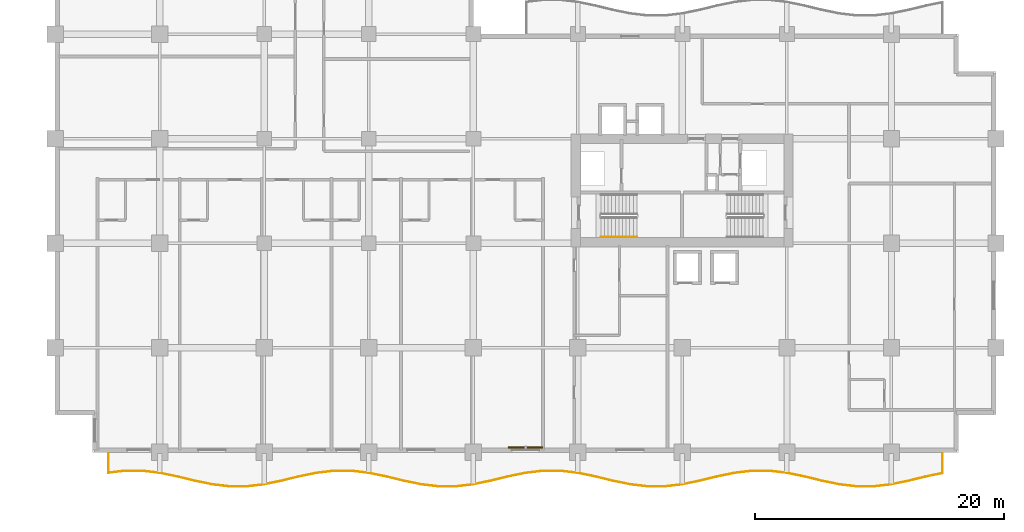
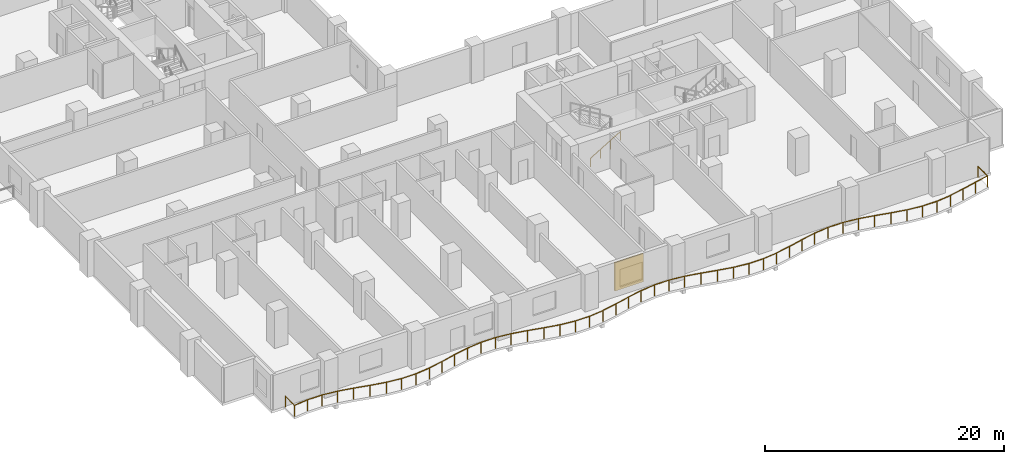
# One storey, part 14 of 17: 2 railings, 1 shading device.
"""IFC4 building model written with IfcOpenShell, lengths in metres."""

from ifc_helpers import new_model, si_unit, direction, frame, origin, origin_2d, place, context, subcontext, project, spatial, rectangle, circle, extrude, material, layer, layer_set, type_object, element, save


model = new_model("IFC4")

# Units and contexts
model_context = context("Model", 3, precision=1e-05, world=origin(), true_north=direction((0.0, 1.0)))
body_context = subcontext(model_context, "Body", "Model", "MODEL_VIEW")
ifc_project = project(units=[si_unit("LENGTHUNIT", "METRE"), si_unit("AREAUNIT", "SQUARE_METRE"), si_unit("VOLUMEUNIT", "CUBIC_METRE"), si_unit("PLANEANGLEUNIT", "RADIAN"), si_unit("MASSUNIT", "GRAM", prefix="KILO")], contexts=[model_context])

# Site, building, storey
site_placement = place(None, origin())
site = spatial("IfcSite", under=ifc_project, at=site_placement, CompositionType="ELEMENT")
building_placement = place(site_placement, origin())
building = spatial("IfcBuilding", under=site, at=building_placement, Name="Koriwani Terraces Tower", CompositionType="ELEMENT")
storey_placement = place(building_placement, frame((0.0, 0.0, 130.39990234375)))
storey = spatial("IfcBuildingStorey", under=building, at=storey_placement, Name="L31", CompositionType="ELEMENT", Elevation=130.39990234375)

# Railings
ifc_material_1 = material(Name="Steel ASTM A572 Grade 50", Category="steel")
railing_type_1 = type_object("IfcRailingType", Name="GUARD_BALUSTRADE_1150", PredefinedType="BALUSTRADE", material=ifc_material_1)
railing_1_placement = place(storey_placement, frame((4.280029296875, -0.080078125, 0.0)))
element("IfcRailing", 1, at=railing_1_placement, inside=storey, type_object=railing_type_1, Name="L31 Balcony Perimeter Safety Balustrade (S)", PredefinedType="BALUSTRADE", context=body_context, shape_type="SweptSolid", body=[
    extrude(circle(Radius=0.02392578125, at=origin_2d()), frame((0.0, 0.0, 1.1259765625), z_axis=(0.0, -1.0, 0.0), x_axis=(1.0, 0.0, 0.0)), (0.0, 0.0, 1.0), 1.570068359375),
    extrude(circle(Radius=0.02392578125, at=origin_2d()), frame((0.0, -1.570068359375, 1.1259765625), z_axis=(0.992886428773, 0.119065274362, 0.0), x_axis=(-0.119065274362, 0.992886428773, 0.0)), (0.0, 0.0, 1.0), 1.32470703125),
    extrude(circle(Radius=0.02392578125, at=origin_2d()), frame((1.315185546875, -1.412353515625, 1.1259765625), z_axis=(1.0, 0.0, 0.0), x_axis=(0.0, 1.0, 0.0)), (0.0, 0.0, 1.0), 1.40966796875),
    extrude(circle(Radius=0.02392578125, at=origin_2d()), frame((2.724853515625, -1.412353515625, 1.1259765625), z_axis=(0.992857273618, -0.119308148191, 0.0), x_axis=(0.119308148191, 0.992857273618, 0.0)), (0.0, 0.0, 1.0), 1.41796875),
    extrude(circle(Radius=0.02392578125, at=origin_2d()), frame((4.1328125, -1.58154296875, 1.1259765625), z_axis=(0.979066698056, -0.203539678581, 0.0), x_axis=(0.203539678581, 0.979066698056, 0.0)), (0.0, 0.0, 1.0), 1.4345703125),
    extrude(circle(Radius=0.02392578125, at=origin_2d()), frame((5.537353515625, -1.87353515625, 1.1259765625), z_axis=(0.972325709638, -0.233629438166, 0.0), x_axis=(0.233629438166, 0.972325709638, 0.0)), (0.0, 0.0, 1.0), 1.43994140625),
    extrude(circle(Radius=0.02392578125, at=origin_2d()), frame((6.9375, -2.2099609375, 1.1259765625), z_axis=(0.979001791719, -0.20385164167, 0.0), x_axis=(0.20385164167, 0.979001791719, 0.0)), (0.0, 0.0, 1.0), 1.42529296875),
    extrude(circle(Radius=0.02392578125, at=origin_2d()), frame((8.332763671875, -2.50048828125, 1.1259765625), z_axis=(0.992861175138, -0.119275676073, 0.0), x_axis=(0.119275676073, 0.992861175138, 0.0)), (0.0, 0.0, 1.0), 1.402099609375),
    extrude(circle(Radius=0.02392578125, at=origin_2d()), frame((9.724853515625, -2.667724609375, 1.1259765625), z_axis=(1.0, 0.0, 0.0), x_axis=(0.0, 1.0, 0.0)), (0.0, 0.0, 1.0), 1.390380859375),
    extrude(circle(Radius=0.02392578125, at=origin_2d()), frame((11.115234375, -2.667724609375, 1.1259765625), z_axis=(0.992858697273, 0.119296300234, 0.0), x_axis=(-0.119296300234, 0.992858697273, 0.0)), (0.0, 0.0, 1.0), 1.40185546875),
    extrude(circle(Radius=0.02392578125, at=origin_2d()), frame((12.507080078125, -2.50048828125, 1.1259765625), z_axis=(0.979008908546, 0.203817459967, 0.0), x_axis=(-0.203817459967, 0.979008908546, 0.0)), (0.0, 0.0, 1.0), 1.425537109375),
    extrude(circle(Radius=0.02392578125, at=origin_2d()), frame((13.902587890625, -2.2099609375, 1.1259765625), z_axis=(0.972316453264, 0.233667958249, 0.0), x_axis=(-0.233667958249, 0.972316453264, 0.0)), (0.0, 0.0, 1.0), 1.439697265625),
    extrude(circle(Radius=0.02392578125, at=origin_2d()), frame((15.302490234375, -1.87353515625, 1.1259765625), z_axis=(0.979066698056, 0.203539678581, 0.0), x_axis=(-0.203539678581, 0.979066698056, 0.0)), (0.0, 0.0, 1.0), 1.4345703125),
    extrude(circle(Radius=0.02392578125, at=origin_2d()), frame((16.70703125, -1.58154296875, 1.1259765625), z_axis=(0.992859723616, 0.119287758056, 0.0), x_axis=(-0.119287758056, 0.992859723616, 0.0)), (0.0, 0.0, 1.0), 1.418212890625),
    extrude(circle(Radius=0.02392578125, at=origin_2d()), frame((18.115234375, -1.412353515625, 1.1259765625), z_axis=(1.0, 0.0, 0.0), x_axis=(0.0, 1.0, 0.0)), (0.0, 0.0, 1.0), 1.409423828125),
    extrude(circle(Radius=0.02392578125, at=origin_2d()), frame((19.524658203125, -1.412353515625, 1.1259765625), z_axis=(0.992859723616, -0.119287758056, 0.0), x_axis=(0.119287758056, 0.992859723616, 0.0)), (0.0, 0.0, 1.0), 1.418212890625),
    extrude(circle(Radius=0.02392578125, at=origin_2d()), frame((20.932861328125, -1.58154296875, 1.1259765625), z_axis=(0.979066698056, -0.203539678581, 0.0), x_axis=(0.203539678581, 0.979066698056, 0.0)), (0.0, 0.0, 1.0), 1.4345703125),
    extrude(circle(Radius=0.02392578125, at=origin_2d()), frame((22.33740234375, -1.87353515625, 1.1259765625), z_axis=(0.972325709638, -0.233629438166, 0.0), x_axis=(0.233629438166, 0.972325709638, 0.0)), (0.0, 0.0, 1.0), 1.43994140625),
    extrude(circle(Radius=0.02392578125, at=origin_2d()), frame((23.737548828125, -2.2099609375, 1.1259765625), z_axis=(0.979001791719, -0.20385164167, 0.0), x_axis=(0.20385164167, 0.979001791719, 0.0)), (0.0, 0.0, 1.0), 1.42529296875),
    extrude(circle(Radius=0.02392578125, at=origin_2d()), frame((25.1328125, -2.50048828125, 1.1259765625), z_axis=(0.992858697273, -0.119296300234, 0.0), x_axis=(0.119296300234, 0.992858697273, 0.0)), (0.0, 0.0, 1.0), 1.40185546875),
    extrude(circle(Radius=0.02392578125, at=origin_2d()), frame((26.524658203125, -2.667724609375, 1.1259765625), z_axis=(1.0, 0.0, 0.0), x_axis=(0.0, 1.0, 0.0)), (0.0, 0.0, 1.0), 1.390625),
    extrude(circle(Radius=0.02392578125, at=origin_2d()), frame((27.915283203125, -2.667724609375, 1.1259765625), z_axis=(0.992858697273, 0.119296300234, 0.0), x_axis=(-0.119296300234, 0.992858697273, 0.0)), (0.0, 0.0, 1.0), 1.40185546875),
    extrude(circle(Radius=0.02392578125, at=origin_2d()), frame((29.30712890625, -2.50048828125, 1.1259765625), z_axis=(0.979001791719, 0.20385164167, 0.0), x_axis=(-0.20385164167, 0.979001791719, 0.0)), (0.0, 0.0, 1.0), 1.42529296875),
    extrude(circle(Radius=0.02392578125, at=origin_2d()), frame((30.702392578125, -2.2099609375, 1.1259765625), z_axis=(0.972325709638, 0.233629438166, 0.0), x_axis=(-0.233629438166, 0.972325709638, 0.0)), (0.0, 0.0, 1.0), 1.43994140625),
    extrude(circle(Radius=0.02392578125, at=origin_2d()), frame((32.1025390625, -1.87353515625, 1.1259765625), z_axis=(0.979066698056, 0.203539678581, 0.0), x_axis=(-0.203539678581, 0.979066698056, 0.0)), (0.0, 0.0, 1.0), 1.4345703125),
    extrude(circle(Radius=0.02392578125, at=origin_2d()), frame((33.507080078125, -1.58154296875, 1.1259765625), z_axis=(0.992859723616, 0.119287758056, 0.0), x_axis=(-0.119287758056, 0.992859723616, 0.0)), (0.0, 0.0, 1.0), 1.418212890625),
    extrude(circle(Radius=0.02392578125, at=origin_2d()), frame((34.915283203125, -1.412353515625, 1.1259765625), z_axis=(1.0, 0.0, 0.0), x_axis=(0.0, 1.0, 0.0)), (0.0, 0.0, 1.0), 1.409423828125),
    extrude(circle(Radius=0.02392578125, at=origin_2d()), frame((36.32470703125, -1.412353515625, 1.1259765625), z_axis=(0.992859723616, -0.119287758056, 0.0), x_axis=(0.119287758056, 0.992859723616, 0.0)), (0.0, 0.0, 1.0), 1.418212890625),
    extrude(circle(Radius=0.02392578125, at=origin_2d()), frame((37.73291015625, -1.58154296875, 1.1259765625), z_axis=(0.979066698056, -0.203539678581, 0.0), x_axis=(0.203539678581, 0.979066698056, 0.0)), (0.0, 0.0, 1.0), 1.4345703125),
    extrude(circle(Radius=0.02392578125, at=origin_2d()), frame((39.137451171875, -1.87353515625, 1.1259765625), z_axis=(0.972316453264, -0.233667958249, 0.0), x_axis=(0.233667958249, 0.972316453264, 0.0)), (0.0, 0.0, 1.0), 1.439697265625),
    extrude(circle(Radius=0.02392578125, at=origin_2d()), frame((40.537353515625, -2.2099609375, 1.1259765625), z_axis=(0.979008908546, -0.203817459967, 0.0), x_axis=(0.203817459967, 0.979008908546, 0.0)), (0.0, 0.0, 1.0), 1.425537109375),
    extrude(circle(Radius=0.02392578125, at=origin_2d()), frame((41.932861328125, -2.50048828125, 1.1259765625), z_axis=(0.992858697273, -0.119296300234, 0.0), x_axis=(0.119296300234, 0.992858697273, 0.0)), (0.0, 0.0, 1.0), 1.40185546875),
    extrude(circle(Radius=0.02392578125, at=origin_2d()), frame((43.32470703125, -2.667724609375, 1.1259765625), z_axis=(1.0, 0.0, 0.0), x_axis=(0.0, 1.0, 0.0)), (0.0, 0.0, 1.0), 1.390380859375),
    extrude(circle(Radius=0.02392578125, at=origin_2d()), frame((44.715087890625, -2.667724609375, 1.1259765625), z_axis=(0.992861175138, 0.119275676073, 0.0), x_axis=(-0.119275676073, 0.992861175138, 0.0)), (0.0, 0.0, 1.0), 1.402099609375),
    extrude(circle(Radius=0.02392578125, at=origin_2d()), frame((46.107177734375, -2.50048828125, 1.1259765625), z_axis=(0.979001791719, 0.20385164167, 0.0), x_axis=(-0.20385164167, 0.979001791719, 0.0)), (0.0, 0.0, 1.0), 1.42529296875),
    extrude(circle(Radius=0.02392578125, at=origin_2d()), frame((47.50244140625, -2.2099609375, 1.1259765625), z_axis=(0.972325709638, 0.233629438166, 0.0), x_axis=(-0.233629438166, 0.972325709638, 0.0)), (0.0, 0.0, 1.0), 1.43994140625),
    extrude(circle(Radius=0.02392578125, at=origin_2d()), frame((48.902587890625, -1.87353515625, 1.1259765625), z_axis=(0.979066698056, 0.203539678581, 0.0), x_axis=(-0.203539678581, 0.979066698056, 0.0)), (0.0, 0.0, 1.0), 1.4345703125),
    extrude(circle(Radius=0.02392578125, at=origin_2d()), frame((50.30712890625, -1.58154296875, 1.1259765625), z_axis=(0.992857273618, 0.119308148191, 0.0), x_axis=(-0.119308148191, 0.992857273618, 0.0)), (0.0, 0.0, 1.0), 1.41796875),
    extrude(circle(Radius=0.02392578125, at=origin_2d()), frame((51.715087890625, -1.412353515625, 1.1259765625), z_axis=(1.0, 0.0, 0.0), x_axis=(0.0, 1.0, 0.0)), (0.0, 0.0, 1.0), 1.40966796875),
    extrude(circle(Radius=0.02392578125, at=origin_2d()), frame((53.124755859375, -1.412353515625, 1.1259765625), z_axis=(0.992859723616, -0.119287758056, 0.0), x_axis=(0.119287758056, 0.992859723616, 0.0)), (0.0, 0.0, 1.0), 1.418212890625),
    extrude(circle(Radius=0.02392578125, at=origin_2d()), frame((54.532958984375, -1.58154296875, 1.1259765625), z_axis=(0.979066698056, -0.203539678581, 0.0), x_axis=(0.203539678581, 0.979066698056, 0.0)), (0.0, 0.0, 1.0), 1.4345703125),
    extrude(circle(Radius=0.02392578125, at=origin_2d()), frame((55.9375, -1.87353515625, 1.1259765625), z_axis=(0.972316453264, -0.233667958249, 0.0), x_axis=(0.233667958249, 0.972316453264, 0.0)), (0.0, 0.0, 1.0), 1.439697265625),
    extrude(circle(Radius=0.02392578125, at=origin_2d()), frame((57.33740234375, -2.2099609375, 1.1259765625), z_axis=(0.979008908546, -0.203817459967, 0.0), x_axis=(0.203817459967, 0.979008908546, 0.0)), (0.0, 0.0, 1.0), 1.425537109375),
    extrude(circle(Radius=0.02392578125, at=origin_2d()), frame((58.73291015625, -2.50048828125, 1.1259765625), z_axis=(0.992858697273, -0.119296300234, 0.0), x_axis=(0.119296300234, 0.992858697273, 0.0)), (0.0, 0.0, 1.0), 1.40185546875),
    extrude(circle(Radius=0.02392578125, at=origin_2d()), frame((60.124755859375, -2.667724609375, 1.1259765625), z_axis=(1.0, 0.0, 0.0), x_axis=(0.0, 1.0, 0.0)), (0.0, 0.0, 1.0), 1.390380859375),
    extrude(circle(Radius=0.02392578125, at=origin_2d()), frame((61.51513671875, -2.667724609375, 1.1259765625), z_axis=(0.992858697273, 0.119296300234, 0.0), x_axis=(-0.119296300234, 0.992858697273, 0.0)), (0.0, 0.0, 1.0), 1.40185546875),
    extrude(circle(Radius=0.02392578125, at=origin_2d()), frame((62.906982421875, -2.50048828125, 1.1259765625), z_axis=(0.979008908546, 0.203817459967, 0.0), x_axis=(-0.203817459967, 0.979008908546, 0.0)), (0.0, 0.0, 1.0), 1.425537109375),
    extrude(circle(Radius=0.02392578125, at=origin_2d()), frame((64.302490234375, -2.2099609375, 1.1259765625), z_axis=(0.972316453264, 0.233667958249, 0.0), x_axis=(-0.233667958249, 0.972316453264, 0.0)), (0.0, 0.0, 1.0), 1.439697265625),
    extrude(circle(Radius=0.02392578125, at=origin_2d()), frame((65.702392578125, -1.87353515625, 1.1259765625), z_axis=(0.979032418543, 0.203704500299, 0.0), x_axis=(-0.203704500299, 0.979032418543, 0.0)), (0.0, 0.0, 1.0), 1.3662109375),
    extrude(circle(Radius=0.02392578125, at=origin_2d()), frame((67.0400390625, -1.59521484375, 1.1259765625), z_axis=(0.0, 1.0, 0.0), x_axis=(-1.0, 0.0, 0.0)), (0.0, 0.0, 1.0), 1.59521484375),
    extrude(circle(Radius=0.02099609375, at=origin_2d()), origin(), (0.0, 0.0, 1.0), 1.101806640625),
    extrude(circle(Radius=0.02099609375, at=origin_2d()), frame((0.0, -1.570068359375, 0.0)), (0.0, 0.0, 1.0), 1.101806640625),
    extrude(circle(Radius=0.02099609375, at=origin_2d()), frame((1.315185546875, -1.412353515625, 0.0)), (0.0, 0.0, 1.0), 1.101806640625),
    extrude(circle(Radius=0.02099609375, at=origin_2d()), frame((2.724853515625, -1.412353515625, 0.0)), (0.0, 0.0, 1.0), 1.101806640625),
    extrude(circle(Radius=0.02099609375, at=origin_2d()), frame((4.1328125, -1.58154296875, 0.0)), (0.0, 0.0, 1.0), 1.101806640625),
    extrude(circle(Radius=0.02099609375, at=origin_2d()), frame((5.537353515625, -1.87353515625, 0.0)), (0.0, 0.0, 1.0), 1.101806640625),
    extrude(circle(Radius=0.02099609375, at=origin_2d()), frame((6.9375, -2.2099609375, 0.0)), (0.0, 0.0, 1.0), 1.101806640625),
    extrude(circle(Radius=0.02099609375, at=origin_2d()), frame((8.332763671875, -2.50048828125, 0.0)), (0.0, 0.0, 1.0), 1.101806640625),
    extrude(circle(Radius=0.02099609375, at=origin_2d()), frame((9.724853515625, -2.667724609375, 0.0)), (0.0, 0.0, 1.0), 1.101806640625),
    extrude(circle(Radius=0.02099609375, at=origin_2d()), frame((11.115234375, -2.667724609375, 0.0)), (0.0, 0.0, 1.0), 1.101806640625),
    extrude(circle(Radius=0.02099609375, at=origin_2d()), frame((12.507080078125, -2.50048828125, 0.0)), (0.0, 0.0, 1.0), 1.101806640625),
    extrude(circle(Radius=0.02099609375, at=origin_2d()), frame((13.902587890625, -2.2099609375, 0.0)), (0.0, 0.0, 1.0), 1.101806640625),
    extrude(circle(Radius=0.02099609375, at=origin_2d()), frame((15.302490234375, -1.87353515625, 0.0)), (0.0, 0.0, 1.0), 1.101806640625),
    extrude(circle(Radius=0.02099609375, at=origin_2d()), frame((16.70703125, -1.58154296875, 0.0)), (0.0, 0.0, 1.0), 1.101806640625),
    extrude(circle(Radius=0.02099609375, at=origin_2d()), frame((18.115234375, -1.412353515625, 0.0)), (0.0, 0.0, 1.0), 1.101806640625),
    extrude(circle(Radius=0.02099609375, at=origin_2d()), frame((19.524658203125, -1.412353515625, 0.0)), (0.0, 0.0, 1.0), 1.101806640625),
    extrude(circle(Radius=0.02099609375, at=origin_2d()), frame((20.932861328125, -1.58154296875, 0.0)), (0.0, 0.0, 1.0), 1.101806640625),
    extrude(circle(Radius=0.02099609375, at=origin_2d()), frame((22.33740234375, -1.87353515625, 0.0)), (0.0, 0.0, 1.0), 1.101806640625),
    extrude(circle(Radius=0.02099609375, at=origin_2d()), frame((23.737548828125, -2.2099609375, 0.0)), (0.0, 0.0, 1.0), 1.101806640625),
    extrude(circle(Radius=0.02099609375, at=origin_2d()), frame((25.1328125, -2.50048828125, 0.0)), (0.0, 0.0, 1.0), 1.101806640625),
    extrude(circle(Radius=0.02099609375, at=origin_2d()), frame((26.524658203125, -2.667724609375, 0.0)), (0.0, 0.0, 1.0), 1.101806640625),
    extrude(circle(Radius=0.02099609375, at=origin_2d()), frame((27.915283203125, -2.667724609375, 0.0)), (0.0, 0.0, 1.0), 1.101806640625),
    extrude(circle(Radius=0.02099609375, at=origin_2d()), frame((29.30712890625, -2.50048828125, 0.0)), (0.0, 0.0, 1.0), 1.101806640625),
    extrude(circle(Radius=0.02099609375, at=origin_2d()), frame((30.702392578125, -2.2099609375, 0.0)), (0.0, 0.0, 1.0), 1.101806640625),
    extrude(circle(Radius=0.02099609375, at=origin_2d()), frame((32.1025390625, -1.87353515625, 0.0)), (0.0, 0.0, 1.0), 1.101806640625),
    extrude(circle(Radius=0.02099609375, at=origin_2d()), frame((33.507080078125, -1.58154296875, 0.0)), (0.0, 0.0, 1.0), 1.101806640625),
    extrude(circle(Radius=0.02099609375, at=origin_2d()), frame((34.915283203125, -1.412353515625, 0.0)), (0.0, 0.0, 1.0), 1.101806640625),
    extrude(circle(Radius=0.02099609375, at=origin_2d()), frame((36.32470703125, -1.412353515625, 0.0)), (0.0, 0.0, 1.0), 1.101806640625),
    extrude(circle(Radius=0.02099609375, at=origin_2d()), frame((37.73291015625, -1.58154296875, 0.0)), (0.0, 0.0, 1.0), 1.101806640625),
    extrude(circle(Radius=0.02099609375, at=origin_2d()), frame((39.137451171875, -1.87353515625, 0.0)), (0.0, 0.0, 1.0), 1.101806640625),
    extrude(circle(Radius=0.02099609375, at=origin_2d()), frame((40.537353515625, -2.2099609375, 0.0)), (0.0, 0.0, 1.0), 1.101806640625),
    extrude(circle(Radius=0.02099609375, at=origin_2d()), frame((41.932861328125, -2.50048828125, 0.0)), (0.0, 0.0, 1.0), 1.101806640625),
    extrude(circle(Radius=0.02099609375, at=origin_2d()), frame((43.32470703125, -2.667724609375, 0.0)), (0.0, 0.0, 1.0), 1.101806640625),
    extrude(circle(Radius=0.02099609375, at=origin_2d()), frame((44.715087890625, -2.667724609375, 0.0)), (0.0, 0.0, 1.0), 1.101806640625),
    extrude(circle(Radius=0.02099609375, at=origin_2d()), frame((46.107177734375, -2.50048828125, 0.0)), (0.0, 0.0, 1.0), 1.101806640625),
    extrude(circle(Radius=0.02099609375, at=origin_2d()), frame((47.50244140625, -2.2099609375, 0.0)), (0.0, 0.0, 1.0), 1.101806640625),
    extrude(circle(Radius=0.02099609375, at=origin_2d()), frame((48.902587890625, -1.87353515625, 0.0)), (0.0, 0.0, 1.0), 1.101806640625),
    extrude(circle(Radius=0.02099609375, at=origin_2d()), frame((50.30712890625, -1.58154296875, 0.0)), (0.0, 0.0, 1.0), 1.101806640625),
    extrude(circle(Radius=0.02099609375, at=origin_2d()), frame((51.715087890625, -1.412353515625, 0.0)), (0.0, 0.0, 1.0), 1.101806640625),
    extrude(circle(Radius=0.02099609375, at=origin_2d()), frame((53.124755859375, -1.412353515625, 0.0)), (0.0, 0.0, 1.0), 1.101806640625),
    extrude(circle(Radius=0.02099609375, at=origin_2d()), frame((54.532958984375, -1.58154296875, 0.0)), (0.0, 0.0, 1.0), 1.101806640625),
    extrude(circle(Radius=0.02099609375, at=origin_2d()), frame((55.9375, -1.87353515625, 0.0)), (0.0, 0.0, 1.0), 1.101806640625),
    extrude(circle(Radius=0.02099609375, at=origin_2d()), frame((57.33740234375, -2.2099609375, 0.0)), (0.0, 0.0, 1.0), 1.101806640625),
    extrude(circle(Radius=0.02099609375, at=origin_2d()), frame((58.73291015625, -2.50048828125, 0.0)), (0.0, 0.0, 1.0), 1.101806640625),
    extrude(circle(Radius=0.02099609375, at=origin_2d()), frame((60.124755859375, -2.667724609375, 0.0)), (0.0, 0.0, 1.0), 1.101806640625),
    extrude(circle(Radius=0.02099609375, at=origin_2d()), frame((61.51513671875, -2.667724609375, 0.0)), (0.0, 0.0, 1.0), 1.101806640625),
    extrude(circle(Radius=0.02099609375, at=origin_2d()), frame((62.906982421875, -2.50048828125, 0.0)), (0.0, 0.0, 1.0), 1.101806640625),
    extrude(circle(Radius=0.02099609375, at=origin_2d()), frame((64.302490234375, -2.2099609375, 0.0)), (0.0, 0.0, 1.0), 1.101806640625),
    extrude(circle(Radius=0.02099609375, at=origin_2d()), frame((65.702392578125, -1.87353515625, 0.0)), (0.0, 0.0, 1.0), 1.101806640625),
    extrude(circle(Radius=0.02099609375, at=origin_2d()), frame((67.0400390625, -1.59521484375, 0.0)), (0.0, 0.0, 1.0), 1.101806640625),
    extrude(circle(Radius=0.02099609375, at=origin_2d()), frame((67.0400390625, 0.0, 0.0)), (0.0, 0.0, 1.0), 1.101806640625),
])
railing_type_2 = type_object("IfcRailingType", Name="HANDRAIL_STAIR_920", PredefinedType="HANDRAIL", material=ifc_material_1)
railing_2_placement = place(storey_placement, frame((43.85009765625, 17.300048828125, 0.1728515625)))
element("IfcRailing", 2, at=railing_2_placement, inside=storey, type_object=railing_type_2, Name="L31 ST-E1 stair handrail 1", PredefinedType="HANDRAIL", context=body_context, shape_type="SweptSolid", body=[
    extrude(circle(Radius=0.02392578125, at=origin_2d()), frame((0.0, 0.0, 0.8759765625), z_axis=(0.859141464434, 0.0, 0.511738159696), x_axis=(0.0, 1.0, 0.0)), (0.0, 0.0, 1.0), 3.375244140625),
    extrude(circle(Radius=0.02099609375, at=origin_2d()), origin(), (0.0, 0.0, 1.0), 0.851806640625),
    extrude(circle(Radius=0.02099609375, at=origin_2d()), frame((0.966552734375, 0.0, 0.57568359375)), (0.0, 0.0, 1.0), 0.851806640625),
    extrude(circle(Radius=0.02099609375, at=origin_2d()), frame((1.933349609375, 0.0, 1.151611328125)), (0.0, 0.0, 1.0), 0.851806640625),
    extrude(circle(Radius=0.02099609375, at=origin_2d()), frame((2.89990234375, 0.0, 1.727294921875)), (0.0, 0.0, 1.0), 0.851806640625),
])

# Shading device
ifc_material_2 = material(Name="Extruded Terracotta Clay", Category="masonry")
ifc_layer = layer(ifc_material_2, 0.1201171875, Name="Extruded Terracotta Clay")
ifc_layer_set = layer_set([ifc_layer], Name="Extruded Terracotta Clay")
shading_device_type = type_object("IfcShadingDeviceType", Name="TERRACOTTA_BAGUETTE_SCREEN_2800", PredefinedType="USERDEFINED", material=ifc_layer_set)
shading_device_placement = place(storey_placement, frame((37.800048828125, 0.405029296875, 0.3251953125), z_axis=(0.0, 0.0, 1.0), x_axis=(-1.0, 0.0, 0.0)))
element("IfcShadingDevice", 3, at=shading_device_placement, inside=storey, type_object=shading_device_type, Name="L31 Extruded Terracotta Baguette Screen (S-12)", ObjectType="BAGUETTE", PredefinedType="USERDEFINED", context=body_context, shape_type="SweptSolid", body=[
    extrude(rectangle(XDim=2.760009765625, YDim=0.1201171875, at=origin_2d()), origin(), (0.0, 0.0, 1.0), 2.89990234375),
])

save(model, "model.ifc")
